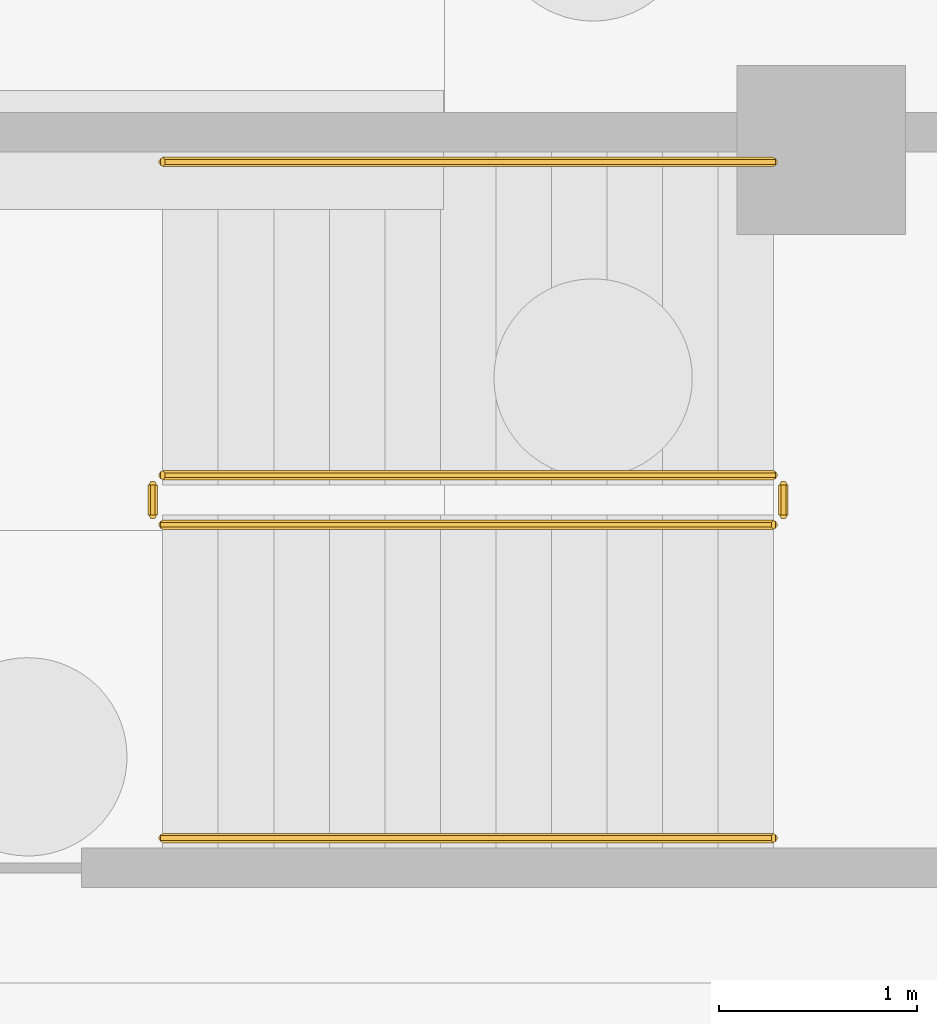
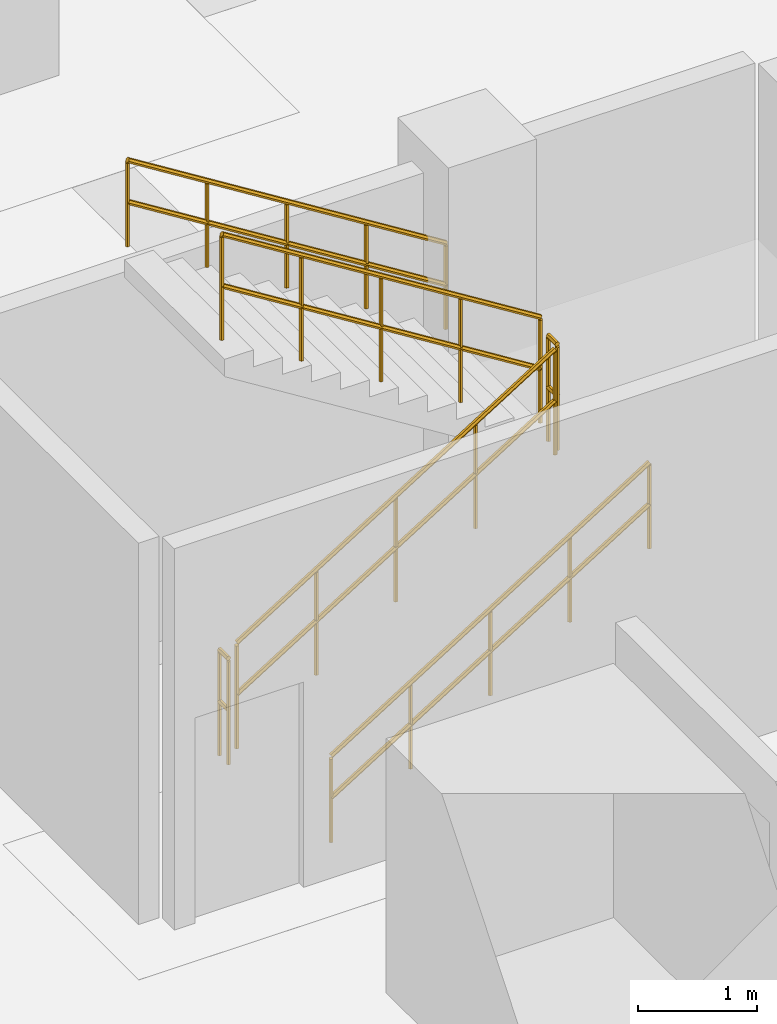
# One storey, part 22 of 23: 6 railings.
"""IFC4 building model written with IfcOpenShell, lengths in metres."""

from ifc_helpers import new_model, si_unit, direction, frame, origin, place, context, subcontext, project, spatial, polyline, outline, extrude, material, type_object, element, save


model = new_model("IFC4")

# Units and contexts
model_context = context("Model", 3, precision=1e-05, world=origin(), true_north=direction((0.0, 1.0)))
body_context = subcontext(model_context, "Body", "Model", "MODEL_VIEW")
ifc_project = project(units=[si_unit("LENGTHUNIT", "METRE"), si_unit("AREAUNIT", "SQUARE_METRE"), si_unit("VOLUMEUNIT", "CUBIC_METRE"), si_unit("PLANEANGLEUNIT", "RADIAN"), si_unit("MASSUNIT", "GRAM", prefix="KILO")], contexts=[model_context])

# Site, building, storey
site_placement = place(None, origin())
site = spatial("IfcSite", under=ifc_project, at=site_placement, CompositionType="ELEMENT")
building_placement = place(site_placement, origin())
building = spatial("IfcBuilding", under=site, at=building_placement, Name="Kelanora Arch Commons", CompositionType="ELEMENT")
storey_placement = place(building_placement, frame((0.0, 0.0, -8.39990234375)))
storey = spatial("IfcBuildingStorey", under=building, at=storey_placement, Name="B02", CompositionType="ELEMENT", Elevation=-8.39990234375)

# Railings
ifc_material_1 = material(Name="Painted steel stair well guard", Category="steel")
railing_type_1 = type_object("IfcRailingType", Name="RAIL-STAIR-GRD", PredefinedType="GUARDRAIL", material=ifc_material_1)
railing_1_placement = place(storey_placement, frame((8.679931640625, 72.110107421875, 0.1748046875)))
element("IfcRailing", 1, at=railing_1_placement, inside=storey, type_object=railing_type_1, Name="B02 ST-M3 stair guard 1", PredefinedType="GUARDRAIL", context=body_context, shape_type="SweptSolid", body=[
    extrude(outline(polyline([(0.02392578125, 0.0), (0.011962890625, 0.020751953125), (-0.011962890625, 0.020751953125), (-0.02392578125, 0.0), (-0.011962890625, -0.020751953125), (0.011962890625, -0.020751953125), (0.02392578125, 0.0)])), frame((0.0, 0.0, 1.076171875), z_axis=(0.847998304005, 0.0, 0.529998940003), x_axis=(0.0, 1.0, 0.0)), (0.0, 0.0, 1.0), 3.632080078125),
    extrude(outline(polyline([(0.02392578125, 0.0), (0.011962890625, 0.020751953125), (-0.011962890625, 0.020751953125), (-0.02392578125, 0.0), (-0.011962890625, -0.020751953125), (0.011962890625, -0.020751953125), (0.02392578125, 0.0)])), frame((0.0, 0.0, 0.550048828125), z_axis=(0.847998304005, 0.0, 0.529998940003), x_axis=(0.0, 1.0, 0.0)), (0.0, 0.0, 1.0), 3.632080078125),
    extrude(outline(polyline([(0.02099609375, 0.0), (0.010498046875, 0.01806640625), (-0.010498046875, 0.01806640625), (-0.02099609375, 0.0), (-0.010498046875, -0.01806640625), (0.010498046875, -0.01806640625), (0.02099609375, 0.0)])), origin(), (0.0, 0.0, 1.0), 1.052001953125),
    extrude(outline(polyline([(0.02099609375, 0.0), (0.010498046875, 0.01806640625), (-0.010498046875, 0.01806640625), (-0.02099609375, 0.0), (-0.010498046875, -0.01806640625), (0.010498046875, -0.01806640625), (0.02099609375, 0.0)])), frame((0.77001953125, 0.0, 0.481201171875)), (0.0, 0.0, 1.0), 1.052001953125),
    extrude(outline(polyline([(0.02099609375, 0.0), (0.010498046875, 0.01806640625), (-0.010498046875, 0.01806640625), (-0.02099609375, 0.0), (-0.010498046875, -0.01806640625), (0.010498046875, -0.01806640625), (0.02099609375, 0.0)])), frame((1.5400390625, 0.0, 0.96240234375)), (0.0, 0.0, 1.0), 1.052001953125),
    extrude(outline(polyline([(0.02099609375, 0.0), (0.010498046875, 0.01806640625), (-0.010498046875, 0.01806640625), (-0.02099609375, 0.0), (-0.010498046875, -0.01806640625), (0.010498046875, -0.01806640625), (0.02099609375, 0.0)])), frame((2.31005859375, 0.0, 1.44384765625)), (0.0, 0.0, 1.0), 1.052001953125),
    extrude(outline(polyline([(0.02099609375, 0.0), (0.010498046875, 0.01806640625), (-0.010498046875, 0.01806640625), (-0.02099609375, 0.0), (-0.010498046875, -0.01806640625), (0.010498046875, -0.01806640625), (0.02099609375, 0.0)])), frame((3.080078125, 0.0, 1.925048828125)), (0.0, 0.0, 1.0), 1.052001953125),
])
railing_2_placement = place(storey_placement, frame((11.81005859375, 72.159912109375, 2.099853515625)))
element("IfcRailing", 2, at=railing_2_placement, inside=storey, type_object=railing_type_1, Name="B02 ST-M3 stair guard 2", PredefinedType="GUARDRAIL", context=body_context, shape_type="SweptSolid", body=[
    extrude(outline(polyline([(0.02392578125, 0.0), (0.011962890625, 0.020751953125), (-0.011962890625, 0.020751953125), (-0.02392578125, 0.0), (-0.011962890625, -0.020751953125), (0.011962890625, -0.020751953125), (0.02392578125, 0.0)])), frame((0.0, 0.0, 1.076171875), z_axis=(0.0, 1.0, 0.0), x_axis=(-1.0, 0.0, 0.0)), (0.0, 0.0, 1.0), 0.150146484375),
    extrude(outline(polyline([(0.02392578125, 0.0), (0.011962890625, 0.020751953125), (-0.011962890625, 0.020751953125), (-0.02392578125, 0.0), (-0.011962890625, -0.020751953125), (0.011962890625, -0.020751953125), (0.02392578125, 0.0)])), frame((0.0, 0.0, 0.550048828125), z_axis=(0.0, 1.0, 0.0), x_axis=(-1.0, 0.0, 0.0)), (0.0, 0.0, 1.0), 0.150146484375),
    extrude(outline(polyline([(0.02099609375, 0.0), (0.010498046875, 0.01806640625), (-0.010498046875, 0.01806640625), (-0.02099609375, 0.0), (-0.010498046875, -0.01806640625), (0.010498046875, -0.01806640625), (0.02099609375, 0.0)])), origin(), (0.0, 0.0, 1.0), 1.052001953125),
    extrude(outline(polyline([(0.02099609375, 0.0), (0.010498046875, 0.01806640625), (-0.010498046875, 0.01806640625), (-0.02099609375, 0.0), (-0.010498046875, -0.01806640625), (0.010498046875, -0.01806640625), (0.02099609375, 0.0)])), frame((0.0, 0.150146484375, 0.0)), (0.0, 0.0, 1.0), 1.052001953125),
])
railing_3_placement = place(storey_placement, frame((11.760009765625, 72.360107421875, 2.27490234375)))
element("IfcRailing", 3, at=railing_3_placement, inside=storey, type_object=railing_type_1, Name="B02 ST-M3 stair guard 3", PredefinedType="GUARDRAIL", context=body_context, shape_type="SweptSolid", body=[
    extrude(outline(polyline([(0.02392578125, 0.0), (0.011962890625, 0.020751953125), (-0.011962890625, 0.020751953125), (-0.02392578125, 0.0), (-0.011962890625, -0.020751953125), (0.011962890625, -0.020751953125), (0.02392578125, 0.0)])), frame((0.0, 0.0, 1.076171875), z_axis=(-0.847998304005, 0.0, 0.529998940003), x_axis=(0.0, -1.0, 0.0)), (0.0, 0.0, 1.0), 3.632080078125),
    extrude(outline(polyline([(0.02392578125, 0.0), (0.011962890625, 0.020751953125), (-0.011962890625, 0.020751953125), (-0.02392578125, 0.0), (-0.011962890625, -0.020751953125), (0.011962890625, -0.020751953125), (0.02392578125, 0.0)])), frame((0.0, 0.0, 0.550048828125), z_axis=(-0.847998304005, 0.0, 0.529998940003), x_axis=(0.0, -1.0, 0.0)), (0.0, 0.0, 1.0), 3.632080078125),
    extrude(outline(polyline([(0.02099609375, 0.0), (0.010498046875, 0.01806640625), (-0.010498046875, 0.01806640625), (-0.02099609375, 0.0), (-0.010498046875, -0.01806640625), (0.010498046875, -0.01806640625), (0.02099609375, 0.0)])), origin(), (0.0, 0.0, 1.0), 1.052001953125),
    extrude(outline(polyline([(0.02099609375, 0.0), (0.010498046875, 0.01806640625), (-0.010498046875, 0.01806640625), (-0.02099609375, 0.0), (-0.010498046875, -0.01806640625), (0.010498046875, -0.01806640625), (0.02099609375, 0.0)])), frame((-0.77001953125, 0.0, 0.481201171875)), (0.0, 0.0, 1.0), 1.052001953125),
    extrude(outline(polyline([(0.02099609375, 0.0), (0.010498046875, 0.01806640625), (-0.010498046875, 0.01806640625), (-0.02099609375, 0.0), (-0.010498046875, -0.01806640625), (0.010498046875, -0.01806640625), (0.02099609375, 0.0)])), frame((-1.5400390625, 0.0, 0.96240234375)), (0.0, 0.0, 1.0), 1.052001953125),
    extrude(outline(polyline([(0.02099609375, 0.0), (0.010498046875, 0.01806640625), (-0.010498046875, 0.01806640625), (-0.02099609375, 0.0), (-0.010498046875, -0.01806640625), (0.010498046875, -0.01806640625), (0.02099609375, 0.0)])), frame((-2.31005859375, 0.0, 1.44384765625)), (0.0, 0.0, 1.0), 1.052001953125),
    extrude(outline(polyline([(0.02099609375, 0.0), (0.010498046875, 0.01806640625), (-0.010498046875, 0.01806640625), (-0.02099609375, 0.0), (-0.010498046875, -0.01806640625), (0.010498046875, -0.01806640625), (0.02099609375, 0.0)])), frame((-3.080078125, 0.0, 1.925048828125)), (0.0, 0.0, 1.0), 1.052001953125),
])
railing_4_placement = place(storey_placement, frame((8.6298828125, 72.159912109375, 0.0)))
element("IfcRailing", 4, at=railing_4_placement, inside=storey, type_object=railing_type_1, Name="B02 ST-M3 stair guard 4", PredefinedType="GUARDRAIL", context=body_context, shape_type="SweptSolid", body=[
    extrude(outline(polyline([(0.02392578125, 0.0), (0.011962890625, 0.020751953125), (-0.011962890625, 0.020751953125), (-0.02392578125, 0.0), (-0.011962890625, -0.020751953125), (0.011962890625, -0.020751953125), (0.02392578125, 0.0)])), frame((0.0, 0.0, 1.076171875), z_axis=(0.0, 1.0, 0.0), x_axis=(-1.0, 0.0, 0.0)), (0.0, 0.0, 1.0), 0.150146484375),
    extrude(outline(polyline([(0.02392578125, 0.0), (0.011962890625, 0.020751953125), (-0.011962890625, 0.020751953125), (-0.02392578125, 0.0), (-0.011962890625, -0.020751953125), (0.011962890625, -0.020751953125), (0.02392578125, 0.0)])), frame((0.0, 0.0, 0.550048828125), z_axis=(0.0, 1.0, 0.0), x_axis=(-1.0, 0.0, 0.0)), (0.0, 0.0, 1.0), 0.150146484375),
    extrude(outline(polyline([(0.02099609375, 0.0), (0.010498046875, 0.01806640625), (-0.010498046875, 0.01806640625), (-0.02099609375, 0.0), (-0.010498046875, -0.01806640625), (0.010498046875, -0.01806640625), (0.02099609375, 0.0)])), origin(), (0.0, 0.0, 1.0), 1.052001953125),
    extrude(outline(polyline([(0.02099609375, 0.0), (0.010498046875, 0.01806640625), (-0.010498046875, 0.01806640625), (-0.02099609375, 0.0), (-0.010498046875, -0.01806640625), (0.010498046875, -0.01806640625), (0.02099609375, 0.0)])), frame((0.0, 0.150146484375, 0.0)), (0.0, 0.0, 1.0), 1.052001953125),
])
ifc_material_2 = material(Name="Brushed stainless steel stair handrail", Category="steel")
railing_type_2 = type_object("IfcRailingType", Name="RAIL-STAIR-HND", PredefinedType="HANDRAIL", material=ifc_material_2)
railing_5_placement = place(storey_placement, frame((8.679931640625, 70.530029296875, 0.1748046875)))
element("IfcRailing", 5, at=railing_5_placement, inside=storey, type_object=railing_type_2, Name="B02 ST-M3 stair handrail 1", PredefinedType="HANDRAIL", context=body_context, shape_type="SweptSolid", body=[
    extrude(outline(polyline([(0.02392578125, 0.0), (0.011962890625, 0.020751953125), (-0.011962890625, 0.020751953125), (-0.02392578125, 0.0), (-0.011962890625, -0.020751953125), (0.011962890625, -0.020751953125), (0.02392578125, 0.0)])), frame((0.0, 0.0, 0.8759765625), z_axis=(0.847998304005, 0.0, 0.529998940003), x_axis=(0.0, 1.0, 0.0)), (0.0, 0.0, 1.0), 3.632080078125),
    extrude(outline(polyline([(0.02392578125, 0.0), (0.011962890625, 0.020751953125), (-0.011962890625, 0.020751953125), (-0.02392578125, 0.0), (-0.011962890625, -0.020751953125), (0.011962890625, -0.020751953125), (0.02392578125, 0.0)])), frame((0.0, 0.0, 0.449951171875), z_axis=(0.847998304005, 0.0, 0.529998940003), x_axis=(0.0, 1.0, 0.0)), (0.0, 0.0, 1.0), 3.632080078125),
    extrude(outline(polyline([(0.02099609375, 0.0), (0.010498046875, 0.01806640625), (-0.010498046875, 0.01806640625), (-0.02099609375, 0.0), (-0.010498046875, -0.01806640625), (0.010498046875, -0.01806640625), (0.02099609375, 0.0)])), origin(), (0.0, 0.0, 1.0), 0.851806640625),
    extrude(outline(polyline([(0.02099609375, 0.0), (0.010498046875, 0.01806640625), (-0.010498046875, 0.01806640625), (-0.02099609375, 0.0), (-0.010498046875, -0.01806640625), (0.010498046875, -0.01806640625), (0.02099609375, 0.0)])), frame((0.77001953125, 0.0, 0.481201171875)), (0.0, 0.0, 1.0), 0.851806640625),
    extrude(outline(polyline([(0.02099609375, 0.0), (0.010498046875, 0.01806640625), (-0.010498046875, 0.01806640625), (-0.02099609375, 0.0), (-0.010498046875, -0.01806640625), (0.010498046875, -0.01806640625), (0.02099609375, 0.0)])), frame((1.5400390625, 0.0, 0.96240234375)), (0.0, 0.0, 1.0), 0.851806640625),
    extrude(outline(polyline([(0.02099609375, 0.0), (0.010498046875, 0.01806640625), (-0.010498046875, 0.01806640625), (-0.02099609375, 0.0), (-0.010498046875, -0.01806640625), (0.010498046875, -0.01806640625), (0.02099609375, 0.0)])), frame((2.31005859375, 0.0, 1.44384765625)), (0.0, 0.0, 1.0), 0.851806640625),
    extrude(outline(polyline([(0.02099609375, 0.0), (0.010498046875, 0.01806640625), (-0.010498046875, 0.01806640625), (-0.02099609375, 0.0), (-0.010498046875, -0.01806640625), (0.010498046875, -0.01806640625), (0.02099609375, 0.0)])), frame((3.080078125, 0.0, 1.925048828125)), (0.0, 0.0, 1.0), 0.851806640625),
])
railing_6_placement = place(storey_placement, frame((11.760009765625, 73.93994140625, 2.27490234375)))
element("IfcRailing", 6, at=railing_6_placement, inside=storey, type_object=railing_type_2, Name="B02 ST-M3 stair handrail 2", PredefinedType="HANDRAIL", context=body_context, shape_type="SweptSolid", body=[
    extrude(outline(polyline([(0.02392578125, 0.0), (0.011962890625, 0.020751953125), (-0.011962890625, 0.020751953125), (-0.02392578125, 0.0), (-0.011962890625, -0.020751953125), (0.011962890625, -0.020751953125), (0.02392578125, 0.0)])), frame((0.0, 0.0, 0.8759765625), z_axis=(-0.847998304005, 0.0, 0.529998940003), x_axis=(0.0, -1.0, 0.0)), (0.0, 0.0, 1.0), 3.632080078125),
    extrude(outline(polyline([(0.02392578125, 0.0), (0.011962890625, 0.020751953125), (-0.011962890625, 0.020751953125), (-0.02392578125, 0.0), (-0.011962890625, -0.020751953125), (0.011962890625, -0.020751953125), (0.02392578125, 0.0)])), frame((0.0, 0.0, 0.449951171875), z_axis=(-0.847998304005, 0.0, 0.529998940003), x_axis=(0.0, -1.0, 0.0)), (0.0, 0.0, 1.0), 3.632080078125),
    extrude(outline(polyline([(0.02099609375, 0.0), (0.010498046875, 0.01806640625), (-0.010498046875, 0.01806640625), (-0.02099609375, 0.0), (-0.010498046875, -0.01806640625), (0.010498046875, -0.01806640625), (0.02099609375, 0.0)])), origin(), (0.0, 0.0, 1.0), 0.851806640625),
    extrude(outline(polyline([(0.02099609375, 0.0), (0.010498046875, 0.01806640625), (-0.010498046875, 0.01806640625), (-0.02099609375, 0.0), (-0.010498046875, -0.01806640625), (0.010498046875, -0.01806640625), (0.02099609375, 0.0)])), frame((-0.77001953125, 0.0, 0.481201171875)), (0.0, 0.0, 1.0), 0.851806640625),
    extrude(outline(polyline([(0.02099609375, 0.0), (0.010498046875, 0.01806640625), (-0.010498046875, 0.01806640625), (-0.02099609375, 0.0), (-0.010498046875, -0.01806640625), (0.010498046875, -0.01806640625), (0.02099609375, 0.0)])), frame((-1.5400390625, 0.0, 0.96240234375)), (0.0, 0.0, 1.0), 0.851806640625),
    extrude(outline(polyline([(0.02099609375, 0.0), (0.010498046875, 0.01806640625), (-0.010498046875, 0.01806640625), (-0.02099609375, 0.0), (-0.010498046875, -0.01806640625), (0.010498046875, -0.01806640625), (0.02099609375, 0.0)])), frame((-2.31005859375, 0.0, 1.44384765625)), (0.0, 0.0, 1.0), 0.851806640625),
    extrude(outline(polyline([(0.02099609375, 0.0), (0.010498046875, 0.01806640625), (-0.010498046875, 0.01806640625), (-0.02099609375, 0.0), (-0.010498046875, -0.01806640625), (0.010498046875, -0.01806640625), (0.02099609375, 0.0)])), frame((-3.080078125, 0.0, 1.925048828125)), (0.0, 0.0, 1.0), 0.851806640625),
])

save(model, "model.ifc")
